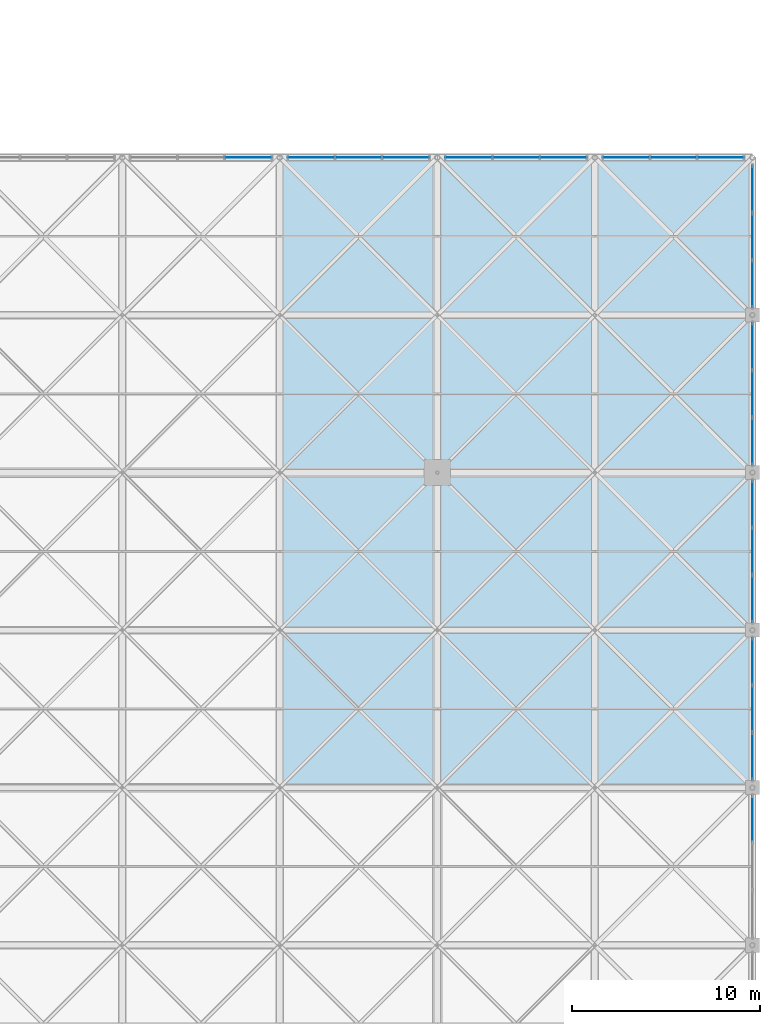
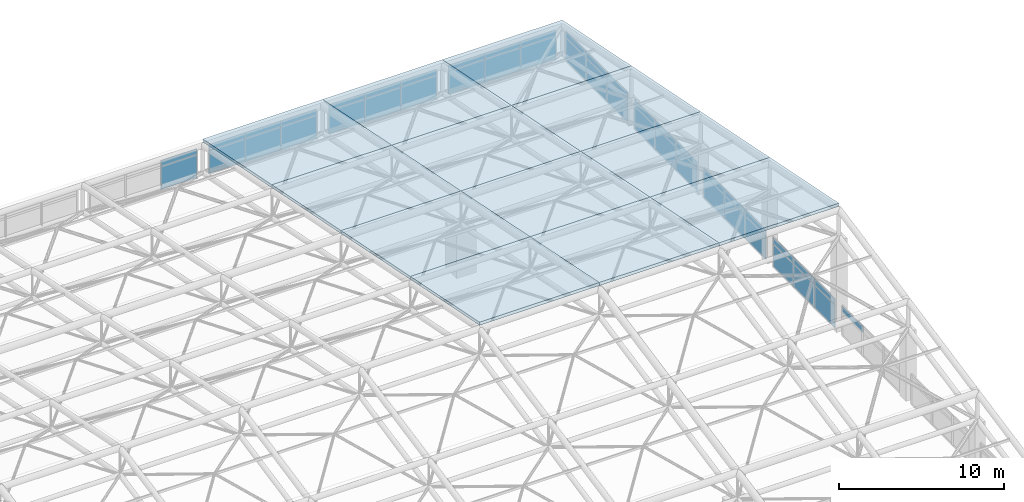
# One storey, part 81 of 110: 45 plates, 12 slabs, 9 elements without a shape of their own.
"""IFC4 building model written with IfcOpenShell, lengths in metres."""

from ifc_helpers import new_model, si_unit, direction, frame, frame_2d, origin, place, context, subcontext, project, spatial, polyline, rectangle, outline, extrude, material, layer, layer_set, type_object, element, aggregate, save


model = new_model("IFC4")

# Units and contexts
model_context = context("Model", 3, precision=1e-05, world=origin(), true_north=direction((0.0, 1.0)))
body_context = subcontext(model_context, "Body", "Model", "MODEL_VIEW")
ifc_project = project(units=[si_unit("LENGTHUNIT", "METRE"), si_unit("AREAUNIT", "SQUARE_METRE"), si_unit("VOLUMEUNIT", "CUBIC_METRE"), si_unit("PLANEANGLEUNIT", "RADIAN"), si_unit("MASSUNIT", "GRAM", prefix="KILO")], contexts=[model_context])

# Site, building, storey
site_placement = place(None, origin())
site = spatial("IfcSite", under=ifc_project, at=site_placement, CompositionType="ELEMENT")
building_placement = place(site_placement, origin())
building = spatial("IfcBuilding", under=site, at=building_placement, Name="Qawsi Khor Wholesale Market", CompositionType="ELEMENT")
storey_placement = place(building_placement, frame((0.0, 0.0, 11.39990234375)))
storey = spatial("IfcBuildingStorey", under=building, at=storey_placement, Name="L02", CompositionType="ELEMENT", Elevation=11.39990234375)

# Slabs
ifc_material_1 = material(Name="Concrete C40/50", Category="concrete")
ifc_layer_1 = layer(ifc_material_1, 0.2099609375, Name="Concrete C40/50")
ifc_layer_set_1 = layer_set([ifc_layer_1], Name="Concrete C40/50")
slab_type = type_object("IfcSlabType", Name="Sloped Insulated Roof Deck 210", PredefinedType="ROOF", material=ifc_layer_set_1)
for number, where, z_axis, x_axis, name in (
    (1, (193.199951171875, 75.60009765625, 9.25), (0.0, 0.1983562496, 0.980129990483), (1.0, 0.0, 0.0), "Space frame roof deck EH (23,9)"),
    (2, (193.199951171875, 84.0, 7.550048828125), (0.0, 0.1983562496, 0.980129990483), (1.0, 0.0, 0.0), "Space frame roof deck EH (23,10)"),
):
    element("IfcSlab", number, at=place(storey_placement, frame(where, z_axis=z_axis, x_axis=x_axis)), inside=storey, type_object=slab_type, Name=name, PredefinedType="ROOF", context=body_context, shape_type="SweptSolid", body=[
        extrude(outline(polyline([(0.0, 0.0), (8.400146484375, 0.0), (8.400146484375, 8.570192143195856), (0.0, 8.570192143195856), (0.0, 0.0)])), origin(), (0.0, 0.0, -1.0), 0.2099609375),
    ])
slab_1_placement = place(storey_placement, frame((193.199951171875, 92.39990234375, 5.85009765625), z_axis=(0.0, 0.198350711418, 0.98013111127), x_axis=(1.0, 0.0, 0.0)))
element("IfcSlab", 3, at=slab_1_placement, inside=storey, type_object=slab_type, Name="Space frame roof deck EH (23,11)", PredefinedType="ROOF", context=body_context, shape_type="SweptSolid", body=[
    extrude(outline(polyline([(0.0, 0.0), (8.400146484375, 0.0), (8.400146484375, 8.570431432881128), (0.0, 8.570431432881128), (0.0, 0.0)])), origin(), (0.0, 0.0, -1.0), 0.2099609375),
])
slab_2_placement = place(storey_placement, frame((193.199951171875, 100.800048828125, 4.150146484375), z_axis=(0.0, 0.1983562496, 0.980129990483), x_axis=(1.0, 0.0, 0.0)))
element("IfcSlab", 4, at=slab_2_placement, inside=storey, type_object=slab_type, Name="Space frame roof deck EH (23,12)", PredefinedType="ROOF", context=body_context, shape_type="SweptSolid", body=[
    extrude(outline(polyline([(0.0, 0.0), (8.400146484375, 0.0), (8.400146484375, 8.570192143195856), (0.0, 8.570192143195856), (0.0, 0.0)])), origin(), (0.0, 0.0, -1.0), 0.2099609375),
])
for number, where, z_axis, x_axis, name in (
    (5, (201.60009765625, 75.60009765625, 9.25), (0.0, 0.1983562496, 0.980129990483), (1.0, 0.0, 0.0), "Space frame roof deck EH (24,9)"),
    (6, (201.60009765625, 84.0, 7.550048828125), (0.0, 0.1983562496, 0.980129990483), (1.0, 0.0, 0.0), "Space frame roof deck EH (24,10)"),
):
    element("IfcSlab", number, at=place(storey_placement, frame(where, z_axis=z_axis, x_axis=x_axis)), inside=storey, type_object=slab_type, Name=name, PredefinedType="ROOF", context=body_context, shape_type="SweptSolid", body=[
        extrude(outline(polyline([(0.0, 0.0), (8.39990234375, 0.0), (8.39990234375, 8.570192143195854), (0.0, 8.570192143195854), (0.0, 0.0)])), origin(), (0.0, 0.0, -1.0), 0.2099609375),
    ])
slab_3_placement = place(storey_placement, frame((201.60009765625, 92.39990234375, 5.85009765625), z_axis=(0.0, 0.198350711418, 0.98013111127), x_axis=(1.0, 0.0, 0.0)))
element("IfcSlab", 7, at=slab_3_placement, inside=storey, type_object=slab_type, Name="Space frame roof deck EH (24,11)", PredefinedType="ROOF", context=body_context, shape_type="SweptSolid", body=[
    extrude(outline(polyline([(0.0, 0.0), (8.39990234375, 0.0), (8.39990234375, 8.570431432881128), (0.0, 8.570431432881128), (0.0, 0.0)])), origin(), (0.0, 0.0, -1.0), 0.2099609375),
])
for number, where, z_axis, x_axis, name in (
    (8, (201.60009765625, 100.800048828125, 4.150146484375), (0.0, 0.1983562496, 0.980129990483), (1.0, 0.0, 0.0), "Space frame roof deck EH (24,12)"),
    (9, (210.0, 75.60009765625, 9.25), (0.0, 0.1983562496, 0.980129990483), (1.0, 0.0, 0.0), "Space frame roof deck EH (25,9)"),
    (10, (210.0, 84.0, 7.550048828125), (0.0, 0.1983562496, 0.980129990483), (1.0, 0.0, 0.0), "Space frame roof deck EH (25,10)"),
):
    element("IfcSlab", number, at=place(storey_placement, frame(where, z_axis=z_axis, x_axis=x_axis)), inside=storey, type_object=slab_type, Name=name, PredefinedType="ROOF", context=body_context, shape_type="SweptSolid", body=[
        extrude(outline(polyline([(0.0, 0.0), (8.39990234375, 0.0), (8.39990234375, 8.570192143195854), (0.0, 8.570192143195854), (0.0, 0.0)])), origin(), (0.0, 0.0, -1.0), 0.2099609375),
    ])
slab_4_placement = place(storey_placement, frame((210.0, 92.39990234375, 5.85009765625), z_axis=(0.0, 0.198350711418, 0.98013111127), x_axis=(1.0, 0.0, 0.0)))
element("IfcSlab", 11, at=slab_4_placement, inside=storey, type_object=slab_type, Name="Space frame roof deck EH (25,11)", PredefinedType="ROOF", context=body_context, shape_type="SweptSolid", body=[
    extrude(outline(polyline([(0.0, 0.0), (8.39990234375, 0.0), (8.39990234375, 8.570431432881128), (0.0, 8.570431432881128), (0.0, 0.0)])), origin(), (0.0, 0.0, -1.0), 0.2099609375),
])
slab_5_placement = place(storey_placement, frame((210.0, 100.800048828125, 4.150146484375), z_axis=(0.0, 0.1983562496, 0.980129990483), x_axis=(1.0, 0.0, 0.0)))
element("IfcSlab", 12, at=slab_5_placement, inside=storey, type_object=slab_type, Name="Space frame roof deck EH (25,12)", PredefinedType="ROOF", context=body_context, shape_type="SweptSolid", body=[
    extrude(outline(polyline([(0.0, 0.0), (8.39990234375, 0.0), (8.39990234375, 8.570192143195854), (0.0, 8.570192143195854), (0.0, 0.0)])), origin(), (0.0, 0.0, -1.0), 0.2099609375),
])

# Curtain wall, plate
ifc_material_2 = material(Name="Aluminium Anodised Bronze", Category="aluminium")
ifc_layer_2 = layer(ifc_material_2, 0.199951171875, Name="Aluminium Anodised Bronze")
ifc_layer_set_2 = layer_set([ifc_layer_2], Name="Aluminium Anodised Bronze")
curtain_wall_type = type_object("IfcCurtainWallType", Name="Trading Hall North-Light Curtain Wall CW-03", PredefinedType="NOTDEFINED", material=ifc_layer_set_2)
curtain_wall_1_placement = place(storey_placement, origin())
curtain_wall_1 = element("IfcCurtainWall", 13, at=curtain_wall_1_placement, inside=storey, type_object=curtain_wall_type, Name="Curtain wall CW-CW-03-L02-136", PredefinedType="NOTDEFINED")
ifc_material_3 = material(Name="Tempered Low-E Solar Glass", Category="glass")
ifc_layer_3 = layer(ifc_material_3, 0.0419921875, Name="Tempered Low-E Solar Glass")
ifc_layer_set_3 = layer_set([ifc_layer_3], Name="Tempered Low-E Solar Glass")
plate_type = type_object("IfcPlateType", Name="Solar Double-Glazed Unit CW-03 42mm", PredefinedType="CURTAIN_PANEL", material=ifc_layer_set_3)
plate_1_placement = place(storey_placement, frame((218.39990234375, 72.6591796875, 1.455078125), z_axis=(0.0, 0.0, 1.0), x_axis=(0.0, 1.0, 0.0)))
plate_1 = element("IfcPlate", 14, at=plate_1_placement, type_object=plate_type, Name="Curtain panel CW-CW-03-L02-136-P1_02", PredefinedType="CURTAIN_PANEL", context=body_context, shape_type="SweptSolid", body=[
    extrude(rectangle(XDim=2.518310546875, YDim=0.0419921875, at=frame_2d((1.25927734375, 0.0))), origin(), (0.0, 0.0, 1.0), 0.43994140625),
])
aggregate(curtain_wall_1, [plate_1])

# Curtain wall, plates
curtain_wall_2_placement = place(storey_placement, origin())
curtain_wall_2 = element("IfcCurtainWall", 15, at=curtain_wall_2_placement, inside=storey, type_object=curtain_wall_type, Name="Curtain wall CW-CW-03-L02-138", PredefinedType="NOTDEFINED")
plate_2_placement = place(storey_placement, frame((218.39990234375, 76.0224609375, -0.264892578125), z_axis=(0.0, 0.0, 1.0), x_axis=(0.0, 1.0, 0.0)))
plate_2 = element("IfcPlate", 16, at=plate_2_placement, type_object=plate_type, Name="Curtain panel CW-CW-03-L02-138-P0_00", PredefinedType="CURTAIN_PANEL", context=body_context, shape_type="SweptSolid", body=[
    extrude(rectangle(XDim=2.518310546875, YDim=0.0419921875, at=frame_2d((1.25927734375, 0.0))), origin(), (0.0, 0.0, 1.0), 1.7099609375),
])
plate_3_placement = place(storey_placement, frame((218.39990234375, 78.540771484375, -0.264892578125), z_axis=(0.0, 0.0, 1.0), x_axis=(0.0, 1.0, 0.0)))
plate_3 = element("IfcPlate", 17, at=plate_3_placement, type_object=plate_type, Name="Curtain panel CW-CW-03-L02-138-P0_01", PredefinedType="CURTAIN_PANEL", context=body_context, shape_type="SweptSolid", body=[
    extrude(rectangle(XDim=2.518310546875, YDim=0.0419921875, at=frame_2d((1.25927734375, 0.0))), origin(), (0.0, 0.0, 1.0), 1.7099609375),
])
plate_4_placement = place(storey_placement, frame((218.39990234375, 81.05908203125, -0.264892578125), z_axis=(0.0, 0.0, 1.0), x_axis=(0.0, 1.0, 0.0)))
plate_4 = element("IfcPlate", 18, at=plate_4_placement, type_object=plate_type, Name="Curtain panel CW-CW-03-L02-138-P0_02", PredefinedType="CURTAIN_PANEL", context=body_context, shape_type="SweptSolid", body=[
    extrude(rectangle(XDim=2.518310546875, YDim=0.0419921875, at=frame_2d((1.25927734375, 0.0))), origin(), (0.0, 0.0, 1.0), 1.7099609375),
])
plate_5_placement = place(storey_placement, frame((218.39990234375, 76.0224609375, 1.455078125), z_axis=(0.0, 0.0, 1.0), x_axis=(0.0, 1.0, 0.0)))
plate_5 = element("IfcPlate", 19, at=plate_5_placement, type_object=plate_type, Name="Curtain panel CW-CW-03-L02-138-P1_00", PredefinedType="CURTAIN_PANEL", context=body_context, shape_type="SweptSolid", body=[
    extrude(rectangle(XDim=2.518310546875, YDim=0.0419921875, at=frame_2d((1.25927734375, 0.0))), origin(), (0.0, 0.0, 1.0), 0.43994140625),
])
plate_6_placement = place(storey_placement, frame((218.39990234375, 78.540771484375, 1.455078125), z_axis=(0.0, 0.0, 1.0), x_axis=(0.0, 1.0, 0.0)))
plate_6 = element("IfcPlate", 20, at=plate_6_placement, type_object=plate_type, Name="Curtain panel CW-CW-03-L02-138-P1_01", PredefinedType="CURTAIN_PANEL", context=body_context, shape_type="SweptSolid", body=[
    extrude(rectangle(XDim=2.518310546875, YDim=0.0419921875, at=frame_2d((1.25927734375, 0.0))), origin(), (0.0, 0.0, 1.0), 0.43994140625),
])
plate_7_placement = place(storey_placement, frame((218.39990234375, 81.05908203125, 1.455078125), z_axis=(0.0, 0.0, 1.0), x_axis=(0.0, 1.0, 0.0)))
plate_7 = element("IfcPlate", 21, at=plate_7_placement, type_object=plate_type, Name="Curtain panel CW-CW-03-L02-138-P1_02", PredefinedType="CURTAIN_PANEL", context=body_context, shape_type="SweptSolid", body=[
    extrude(rectangle(XDim=2.518310546875, YDim=0.0419921875, at=frame_2d((1.25927734375, 0.0))), origin(), (0.0, 0.0, 1.0), 0.43994140625),
])
aggregate(curtain_wall_2, [plate_2, plate_3, plate_4, plate_5, plate_6, plate_7])

curtain_wall_3_placement = place(storey_placement, origin())
curtain_wall_3 = element("IfcCurtainWall", 22, at=curtain_wall_3_placement, inside=storey, type_object=curtain_wall_type, Name="Curtain wall CW-CW-03-L02-140", PredefinedType="NOTDEFINED")
plate_8_placement = place(storey_placement, frame((218.39990234375, 84.422607421875, -0.264892578125), z_axis=(0.0, 0.0, 1.0), x_axis=(0.0, 1.0, 0.0)))
plate_8 = element("IfcPlate", 23, at=plate_8_placement, type_object=plate_type, Name="Curtain panel CW-CW-03-L02-140-P0_00", PredefinedType="CURTAIN_PANEL", context=body_context, shape_type="SweptSolid", body=[
    extrude(rectangle(XDim=2.518310546875, YDim=0.0419921875, at=frame_2d((1.25927734375, 0.0))), origin(), (0.0, 0.0, 1.0), 1.7099609375),
])
plate_9_placement = place(storey_placement, frame((218.39990234375, 86.94091796875, -0.264892578125), z_axis=(0.0, 0.0, 1.0), x_axis=(0.0, 1.0, 0.0)))
plate_9 = element("IfcPlate", 24, at=plate_9_placement, type_object=plate_type, Name="Curtain panel CW-CW-03-L02-140-P0_01", PredefinedType="CURTAIN_PANEL", context=body_context, shape_type="SweptSolid", body=[
    extrude(rectangle(XDim=2.518310546875, YDim=0.0419921875, at=frame_2d((1.25927734375, 0.0))), origin(), (0.0, 0.0, 1.0), 1.7099609375),
])
plate_10_placement = place(storey_placement, frame((218.39990234375, 89.459228515625, -0.264892578125), z_axis=(0.0, 0.0, 1.0), x_axis=(0.0, 1.0, 0.0)))
plate_10 = element("IfcPlate", 25, at=plate_10_placement, type_object=plate_type, Name="Curtain panel CW-CW-03-L02-140-P0_02", PredefinedType="CURTAIN_PANEL", context=body_context, shape_type="SweptSolid", body=[
    extrude(rectangle(XDim=2.518310546875, YDim=0.0419921875, at=frame_2d((1.25927734375, 0.0))), origin(), (0.0, 0.0, 1.0), 1.7099609375),
])
plate_11_placement = place(storey_placement, frame((218.39990234375, 84.422607421875, 1.455078125), z_axis=(0.0, 0.0, 1.0), x_axis=(0.0, 1.0, 0.0)))
plate_11 = element("IfcPlate", 26, at=plate_11_placement, type_object=plate_type, Name="Curtain panel CW-CW-03-L02-140-P1_00", PredefinedType="CURTAIN_PANEL", context=body_context, shape_type="SweptSolid", body=[
    extrude(rectangle(XDim=2.518310546875, YDim=0.0419921875, at=frame_2d((1.25927734375, 0.0))), origin(), (0.0, 0.0, 1.0), 0.43994140625),
])
plate_12_placement = place(storey_placement, frame((218.39990234375, 86.94091796875, 1.455078125), z_axis=(0.0, 0.0, 1.0), x_axis=(0.0, 1.0, 0.0)))
plate_12 = element("IfcPlate", 27, at=plate_12_placement, type_object=plate_type, Name="Curtain panel CW-CW-03-L02-140-P1_01", PredefinedType="CURTAIN_PANEL", context=body_context, shape_type="SweptSolid", body=[
    extrude(rectangle(XDim=2.518310546875, YDim=0.0419921875, at=frame_2d((1.25927734375, 0.0))), origin(), (0.0, 0.0, 1.0), 0.43994140625),
])
plate_13_placement = place(storey_placement, frame((218.39990234375, 89.459228515625, 1.455078125), z_axis=(0.0, 0.0, 1.0), x_axis=(0.0, 1.0, 0.0)))
plate_13 = element("IfcPlate", 28, at=plate_13_placement, type_object=plate_type, Name="Curtain panel CW-CW-03-L02-140-P1_02", PredefinedType="CURTAIN_PANEL", context=body_context, shape_type="SweptSolid", body=[
    extrude(rectangle(XDim=2.518310546875, YDim=0.0419921875, at=frame_2d((1.25927734375, 0.0))), origin(), (0.0, 0.0, 1.0), 0.43994140625),
])
aggregate(curtain_wall_3, [plate_8, plate_9, plate_10, plate_11, plate_12, plate_13])

curtain_wall_4_placement = place(storey_placement, origin())
curtain_wall_4 = element("IfcCurtainWall", 29, at=curtain_wall_4_placement, inside=storey, type_object=curtain_wall_type, Name="Curtain wall CW-CW-03-L02-142", PredefinedType="NOTDEFINED")
plate_14_placement = place(storey_placement, frame((218.39990234375, 92.822509765625, -0.264892578125), z_axis=(0.0, 0.0, 1.0), x_axis=(0.0, 1.0, 0.0)))
plate_14 = element("IfcPlate", 30, at=plate_14_placement, type_object=plate_type, Name="Curtain panel CW-CW-03-L02-142-P0_00", PredefinedType="CURTAIN_PANEL", context=body_context, shape_type="SweptSolid", body=[
    extrude(rectangle(XDim=2.518310546875, YDim=0.0419921875, at=frame_2d((1.25927734375, 0.0))), origin(), (0.0, 0.0, 1.0), 1.7099609375),
])
plate_15_placement = place(storey_placement, frame((218.39990234375, 95.3408203125, -0.264892578125), z_axis=(0.0, 0.0, 1.0), x_axis=(0.0, 1.0, 0.0)))
plate_15 = element("IfcPlate", 31, at=plate_15_placement, type_object=plate_type, Name="Curtain panel CW-CW-03-L02-142-P0_01", PredefinedType="CURTAIN_PANEL", context=body_context, shape_type="SweptSolid", body=[
    extrude(rectangle(XDim=2.518310546875, YDim=0.0419921875, at=frame_2d((1.25927734375, 0.0))), origin(), (0.0, 0.0, 1.0), 1.7099609375),
])
plate_16_placement = place(storey_placement, frame((218.39990234375, 97.859130859375, -0.264892578125), z_axis=(0.0, 0.0, 1.0), x_axis=(0.0, 1.0, 0.0)))
plate_16 = element("IfcPlate", 32, at=plate_16_placement, type_object=plate_type, Name="Curtain panel CW-CW-03-L02-142-P0_02", PredefinedType="CURTAIN_PANEL", context=body_context, shape_type="SweptSolid", body=[
    extrude(rectangle(XDim=2.518310546875, YDim=0.0419921875, at=frame_2d((1.25927734375, 0.0))), origin(), (0.0, 0.0, 1.0), 1.7099609375),
])
plate_17_placement = place(storey_placement, frame((218.39990234375, 92.822509765625, 1.455078125), z_axis=(0.0, 0.0, 1.0), x_axis=(0.0, 1.0, 0.0)))
plate_17 = element("IfcPlate", 33, at=plate_17_placement, type_object=plate_type, Name="Curtain panel CW-CW-03-L02-142-P1_00", PredefinedType="CURTAIN_PANEL", context=body_context, shape_type="SweptSolid", body=[
    extrude(rectangle(XDim=2.518310546875, YDim=0.0419921875, at=frame_2d((1.25927734375, 0.0))), origin(), (0.0, 0.0, 1.0), 0.43994140625),
])
plate_18_placement = place(storey_placement, frame((218.39990234375, 95.3408203125, 1.455078125), z_axis=(0.0, 0.0, 1.0), x_axis=(0.0, 1.0, 0.0)))
plate_18 = element("IfcPlate", 34, at=plate_18_placement, type_object=plate_type, Name="Curtain panel CW-CW-03-L02-142-P1_01", PredefinedType="CURTAIN_PANEL", context=body_context, shape_type="SweptSolid", body=[
    extrude(rectangle(XDim=2.518310546875, YDim=0.0419921875, at=frame_2d((1.25927734375, 0.0))), origin(), (0.0, 0.0, 1.0), 0.43994140625),
])
plate_19_placement = place(storey_placement, frame((218.39990234375, 97.859130859375, 1.455078125), z_axis=(0.0, 0.0, 1.0), x_axis=(0.0, 1.0, 0.0)))
plate_19 = element("IfcPlate", 35, at=plate_19_placement, type_object=plate_type, Name="Curtain panel CW-CW-03-L02-142-P1_02", PredefinedType="CURTAIN_PANEL", context=body_context, shape_type="SweptSolid", body=[
    extrude(rectangle(XDim=2.518310546875, YDim=0.0419921875, at=frame_2d((1.25927734375, 0.0))), origin(), (0.0, 0.0, 1.0), 0.43994140625),
])
aggregate(curtain_wall_4, [plate_14, plate_15, plate_16, plate_17, plate_18, plate_19])

curtain_wall_5_placement = place(storey_placement, origin())
curtain_wall_5 = element("IfcCurtainWall", 36, at=curtain_wall_5_placement, inside=storey, type_object=curtain_wall_type, Name="Curtain wall CW-CW-03-L02-144", PredefinedType="NOTDEFINED")
plate_20_placement = place(storey_placement, frame((218.39990234375, 101.222412109375, -0.264892578125), z_axis=(0.0, 0.0, 1.0), x_axis=(0.0, 1.0, 0.0)))
plate_20 = element("IfcPlate", 37, at=plate_20_placement, type_object=plate_type, Name="Curtain panel CW-CW-03-L02-144-P0_00", PredefinedType="CURTAIN_PANEL", context=body_context, shape_type="SweptSolid", body=[
    extrude(rectangle(XDim=2.510009765625, YDim=0.0419921875, at=frame_2d((1.2548828125, 0.0))), origin(), (0.0, 0.0, 1.0), 1.7099609375),
])
plate_21_placement = place(storey_placement, frame((218.39990234375, 103.732421875, -0.264892578125), z_axis=(0.0, 0.0, 1.0), x_axis=(0.0, 1.0, 0.0)))
plate_21 = element("IfcPlate", 38, at=plate_21_placement, type_object=plate_type, Name="Curtain panel CW-CW-03-L02-144-P0_01", PredefinedType="CURTAIN_PANEL", context=body_context, shape_type="SweptSolid", body=[
    extrude(rectangle(XDim=2.510009765625, YDim=0.0419921875, at=frame_2d((1.2548828125, 0.0))), origin(), (0.0, 0.0, 1.0), 1.7099609375),
])
plate_22_placement = place(storey_placement, frame((218.39990234375, 106.242431640625, -0.264892578125), z_axis=(0.0, 0.0, 1.0), x_axis=(0.0, 1.0, 0.0)))
plate_22 = element("IfcPlate", 39, at=plate_22_placement, type_object=plate_type, Name="Curtain panel CW-CW-03-L02-144-P0_02", PredefinedType="CURTAIN_PANEL", context=body_context, shape_type="SweptSolid", body=[
    extrude(rectangle(XDim=2.510009765625, YDim=0.0419921875, at=frame_2d((1.2548828125, 0.0))), origin(), (0.0, 0.0, 1.0), 1.7099609375),
])
plate_23_placement = place(storey_placement, frame((218.39990234375, 101.222412109375, 1.455078125), z_axis=(0.0, 0.0, 1.0), x_axis=(0.0, 1.0, 0.0)))
plate_23 = element("IfcPlate", 40, at=plate_23_placement, type_object=plate_type, Name="Curtain panel CW-CW-03-L02-144-P1_00", PredefinedType="CURTAIN_PANEL", context=body_context, shape_type="SweptSolid", body=[
    extrude(rectangle(XDim=2.510009765625, YDim=0.0419921875, at=frame_2d((1.2548828125, 0.0))), origin(), (0.0, 0.0, 1.0), 0.43994140625),
])
plate_24_placement = place(storey_placement, frame((218.39990234375, 103.732421875, 1.455078125), z_axis=(0.0, 0.0, 1.0), x_axis=(0.0, 1.0, 0.0)))
plate_24 = element("IfcPlate", 41, at=plate_24_placement, type_object=plate_type, Name="Curtain panel CW-CW-03-L02-144-P1_01", PredefinedType="CURTAIN_PANEL", context=body_context, shape_type="SweptSolid", body=[
    extrude(rectangle(XDim=2.510009765625, YDim=0.0419921875, at=frame_2d((1.2548828125, 0.0))), origin(), (0.0, 0.0, 1.0), 0.43994140625),
])
plate_25_placement = place(storey_placement, frame((218.39990234375, 106.242431640625, 1.455078125), z_axis=(0.0, 0.0, 1.0), x_axis=(0.0, 1.0, 0.0)))
plate_25 = element("IfcPlate", 42, at=plate_25_placement, type_object=plate_type, Name="Curtain panel CW-CW-03-L02-144-P1_02", PredefinedType="CURTAIN_PANEL", context=body_context, shape_type="SweptSolid", body=[
    extrude(rectangle(XDim=2.510009765625, YDim=0.0419921875, at=frame_2d((1.2548828125, 0.0))), origin(), (0.0, 0.0, 1.0), 0.43994140625),
])
aggregate(curtain_wall_5, [plate_20, plate_21, plate_22, plate_23, plate_24, plate_25])

curtain_wall_6_placement = place(storey_placement, origin())
curtain_wall_6 = element("IfcCurtainWall", 43, at=curtain_wall_6_placement, inside=storey, type_object=curtain_wall_type, Name="Curtain wall CW-CW-03-L02-150", PredefinedType="NOTDEFINED")
plate_26_placement = place(storey_placement, frame((190.25927734375, 109.199951171875, -0.264892578125), z_axis=(0.0, 0.0, 1.0), x_axis=(1.0, 0.0, 0.0)))
plate_26 = element("IfcPlate", 44, at=plate_26_placement, type_object=plate_type, Name="Curtain panel CW-CW-03-L02-150-P0_02", PredefinedType="CURTAIN_PANEL", context=body_context, shape_type="SweptSolid", body=[
    extrude(rectangle(XDim=2.518310546875, YDim=0.0419921875, at=frame_2d((1.25927734375, 0.0))), origin(), (0.0, 0.0, 1.0), 1.7099609375),
])
plate_27_placement = place(storey_placement, frame((190.25927734375, 109.199951171875, 1.455078125), z_axis=(0.0, 0.0, 1.0), x_axis=(1.0, 0.0, 0.0)))
plate_27 = element("IfcPlate", 45, at=plate_27_placement, type_object=plate_type, Name="Curtain panel CW-CW-03-L02-150-P1_02", PredefinedType="CURTAIN_PANEL", context=body_context, shape_type="SweptSolid", body=[
    extrude(rectangle(XDim=2.518310546875, YDim=0.0419921875, at=frame_2d((1.25927734375, 0.0))), origin(), (0.0, 0.0, 1.0), 0.43994140625),
])
aggregate(curtain_wall_6, [plate_26, plate_27])

curtain_wall_7_placement = place(storey_placement, origin())
curtain_wall_7 = element("IfcCurtainWall", 46, at=curtain_wall_7_placement, inside=storey, type_object=curtain_wall_type, Name="Curtain wall CW-CW-03-L02-151", PredefinedType="NOTDEFINED")
plate_28_placement = place(storey_placement, frame((193.62255859375, 109.199951171875, -0.264892578125), z_axis=(0.0, 0.0, 1.0), x_axis=(1.0, 0.0, 0.0)))
plate_28 = element("IfcPlate", 47, at=plate_28_placement, type_object=plate_type, Name="Curtain panel CW-CW-03-L02-151-P0_00", PredefinedType="CURTAIN_PANEL", context=body_context, shape_type="SweptSolid", body=[
    extrude(rectangle(XDim=2.518310546875, YDim=0.0419921875, at=frame_2d((1.25927734375, 0.0))), origin(), (0.0, 0.0, 1.0), 1.7099609375),
])
plate_29_placement = place(storey_placement, frame((196.140869140625, 109.199951171875, -0.264892578125), z_axis=(0.0, 0.0, 1.0), x_axis=(1.0, 0.0, 0.0)))
plate_29 = element("IfcPlate", 48, at=plate_29_placement, type_object=plate_type, Name="Curtain panel CW-CW-03-L02-151-P0_01", PredefinedType="CURTAIN_PANEL", context=body_context, shape_type="SweptSolid", body=[
    extrude(rectangle(XDim=2.518310546875, YDim=0.0419921875, at=frame_2d((1.25927734375, 0.0))), origin(), (0.0, 0.0, 1.0), 1.7099609375),
])
plate_30_placement = place(storey_placement, frame((198.6591796875, 109.199951171875, -0.264892578125), z_axis=(0.0, 0.0, 1.0), x_axis=(1.0, 0.0, 0.0)))
plate_30 = element("IfcPlate", 49, at=plate_30_placement, type_object=plate_type, Name="Curtain panel CW-CW-03-L02-151-P0_02", PredefinedType="CURTAIN_PANEL", context=body_context, shape_type="SweptSolid", body=[
    extrude(rectangle(XDim=2.518310546875, YDim=0.0419921875, at=frame_2d((1.25927734375, 0.0))), origin(), (0.0, 0.0, 1.0), 1.7099609375),
])
plate_31_placement = place(storey_placement, frame((193.62255859375, 109.199951171875, 1.455078125), z_axis=(0.0, 0.0, 1.0), x_axis=(1.0, 0.0, 0.0)))
plate_31 = element("IfcPlate", 50, at=plate_31_placement, type_object=plate_type, Name="Curtain panel CW-CW-03-L02-151-P1_00", PredefinedType="CURTAIN_PANEL", context=body_context, shape_type="SweptSolid", body=[
    extrude(rectangle(XDim=2.518310546875, YDim=0.0419921875, at=frame_2d((1.25927734375, 0.0))), origin(), (0.0, 0.0, 1.0), 0.43994140625),
])
plate_32_placement = place(storey_placement, frame((196.140869140625, 109.199951171875, 1.455078125), z_axis=(0.0, 0.0, 1.0), x_axis=(1.0, 0.0, 0.0)))
plate_32 = element("IfcPlate", 51, at=plate_32_placement, type_object=plate_type, Name="Curtain panel CW-CW-03-L02-151-P1_01", PredefinedType="CURTAIN_PANEL", context=body_context, shape_type="SweptSolid", body=[
    extrude(rectangle(XDim=2.518310546875, YDim=0.0419921875, at=frame_2d((1.25927734375, 0.0))), origin(), (0.0, 0.0, 1.0), 0.43994140625),
])
plate_33_placement = place(storey_placement, frame((198.6591796875, 109.199951171875, 1.455078125), z_axis=(0.0, 0.0, 1.0), x_axis=(1.0, 0.0, 0.0)))
plate_33 = element("IfcPlate", 52, at=plate_33_placement, type_object=plate_type, Name="Curtain panel CW-CW-03-L02-151-P1_02", PredefinedType="CURTAIN_PANEL", context=body_context, shape_type="SweptSolid", body=[
    extrude(rectangle(XDim=2.518310546875, YDim=0.0419921875, at=frame_2d((1.25927734375, 0.0))), origin(), (0.0, 0.0, 1.0), 0.43994140625),
])
aggregate(curtain_wall_7, [plate_28, plate_29, plate_30, plate_31, plate_32, plate_33])

curtain_wall_8_placement = place(storey_placement, origin())
curtain_wall_8 = element("IfcCurtainWall", 53, at=curtain_wall_8_placement, inside=storey, type_object=curtain_wall_type, Name="Curtain wall CW-CW-03-L02-152", PredefinedType="NOTDEFINED")
plate_34_placement = place(storey_placement, frame((202.0224609375, 109.199951171875, -0.264892578125), z_axis=(0.0, 0.0, 1.0), x_axis=(1.0, 0.0, 0.0)))
plate_34 = element("IfcPlate", 54, at=plate_34_placement, type_object=plate_type, Name="Curtain panel CW-CW-03-L02-152-P0_00", PredefinedType="CURTAIN_PANEL", context=body_context, shape_type="SweptSolid", body=[
    extrude(rectangle(XDim=2.518310546875, YDim=0.0419921875, at=frame_2d((1.25927734375, 0.0))), origin(), (0.0, 0.0, 1.0), 1.7099609375),
])
plate_35_placement = place(storey_placement, frame((204.540771484375, 109.199951171875, -0.264892578125), z_axis=(0.0, 0.0, 1.0), x_axis=(1.0, 0.0, 0.0)))
plate_35 = element("IfcPlate", 55, at=plate_35_placement, type_object=plate_type, Name="Curtain panel CW-CW-03-L02-152-P0_01", PredefinedType="CURTAIN_PANEL", context=body_context, shape_type="SweptSolid", body=[
    extrude(rectangle(XDim=2.518310546875, YDim=0.0419921875, at=frame_2d((1.25927734375, 0.0))), origin(), (0.0, 0.0, 1.0), 1.7099609375),
])
plate_36_placement = place(storey_placement, frame((207.05908203125, 109.199951171875, -0.264892578125), z_axis=(0.0, 0.0, 1.0), x_axis=(1.0, 0.0, 0.0)))
plate_36 = element("IfcPlate", 56, at=plate_36_placement, type_object=plate_type, Name="Curtain panel CW-CW-03-L02-152-P0_02", PredefinedType="CURTAIN_PANEL", context=body_context, shape_type="SweptSolid", body=[
    extrude(rectangle(XDim=2.518310546875, YDim=0.0419921875, at=frame_2d((1.25927734375, 0.0))), origin(), (0.0, 0.0, 1.0), 1.7099609375),
])
plate_37_placement = place(storey_placement, frame((202.0224609375, 109.199951171875, 1.455078125), z_axis=(0.0, 0.0, 1.0), x_axis=(1.0, 0.0, 0.0)))
plate_37 = element("IfcPlate", 57, at=plate_37_placement, type_object=plate_type, Name="Curtain panel CW-CW-03-L02-152-P1_00", PredefinedType="CURTAIN_PANEL", context=body_context, shape_type="SweptSolid", body=[
    extrude(rectangle(XDim=2.518310546875, YDim=0.0419921875, at=frame_2d((1.25927734375, 0.0))), origin(), (0.0, 0.0, 1.0), 0.43994140625),
])
plate_38_placement = place(storey_placement, frame((204.540771484375, 109.199951171875, 1.455078125), z_axis=(0.0, 0.0, 1.0), x_axis=(1.0, 0.0, 0.0)))
plate_38 = element("IfcPlate", 58, at=plate_38_placement, type_object=plate_type, Name="Curtain panel CW-CW-03-L02-152-P1_01", PredefinedType="CURTAIN_PANEL", context=body_context, shape_type="SweptSolid", body=[
    extrude(rectangle(XDim=2.518310546875, YDim=0.0419921875, at=frame_2d((1.25927734375, 0.0))), origin(), (0.0, 0.0, 1.0), 0.43994140625),
])
plate_39_placement = place(storey_placement, frame((207.05908203125, 109.199951171875, 1.455078125), z_axis=(0.0, 0.0, 1.0), x_axis=(1.0, 0.0, 0.0)))
plate_39 = element("IfcPlate", 59, at=plate_39_placement, type_object=plate_type, Name="Curtain panel CW-CW-03-L02-152-P1_02", PredefinedType="CURTAIN_PANEL", context=body_context, shape_type="SweptSolid", body=[
    extrude(rectangle(XDim=2.518310546875, YDim=0.0419921875, at=frame_2d((1.25927734375, 0.0))), origin(), (0.0, 0.0, 1.0), 0.43994140625),
])
aggregate(curtain_wall_8, [plate_34, plate_35, plate_36, plate_37, plate_38, plate_39])

curtain_wall_9_placement = place(storey_placement, origin())
curtain_wall_9 = element("IfcCurtainWall", 60, at=curtain_wall_9_placement, inside=storey, type_object=curtain_wall_type, Name="Curtain wall CW-CW-03-L02-153", PredefinedType="NOTDEFINED")
plate_40_placement = place(storey_placement, frame((210.422607421875, 109.199951171875, -0.264892578125), z_axis=(0.0, 0.0, 1.0), x_axis=(1.0, 0.0, 0.0)))
plate_40 = element("IfcPlate", 61, at=plate_40_placement, type_object=plate_type, Name="Curtain panel CW-CW-03-L02-153-P0_00", PredefinedType="CURTAIN_PANEL", context=body_context, shape_type="SweptSolid", body=[
    extrude(rectangle(XDim=2.510009765625, YDim=0.0419921875, at=frame_2d((1.2548828125, 0.0))), origin(), (0.0, 0.0, 1.0), 1.7099609375),
])
plate_41_placement = place(storey_placement, frame((212.9326171875, 109.199951171875, -0.264892578125), z_axis=(0.0, 0.0, 1.0), x_axis=(1.0, 0.0, 0.0)))
plate_41 = element("IfcPlate", 62, at=plate_41_placement, type_object=plate_type, Name="Curtain panel CW-CW-03-L02-153-P0_01", PredefinedType="CURTAIN_PANEL", context=body_context, shape_type="SweptSolid", body=[
    extrude(rectangle(XDim=2.509765625, YDim=0.0419921875, at=frame_2d((1.2548828125, 0.0))), origin(), (0.0, 0.0, 1.0), 1.7099609375),
])
plate_42_placement = place(storey_placement, frame((215.4423828125, 109.199951171875, -0.264892578125), z_axis=(0.0, 0.0, 1.0), x_axis=(1.0, 0.0, 0.0)))
plate_42 = element("IfcPlate", 63, at=plate_42_placement, type_object=plate_type, Name="Curtain panel CW-CW-03-L02-153-P0_02", PredefinedType="CURTAIN_PANEL", context=body_context, shape_type="SweptSolid", body=[
    extrude(rectangle(XDim=2.510009765625, YDim=0.0419921875, at=frame_2d((1.2548828125, 0.0))), origin(), (0.0, 0.0, 1.0), 1.7099609375),
])
plate_43_placement = place(storey_placement, frame((210.422607421875, 109.199951171875, 1.455078125), z_axis=(0.0, 0.0, 1.0), x_axis=(1.0, 0.0, 0.0)))
plate_43 = element("IfcPlate", 64, at=plate_43_placement, type_object=plate_type, Name="Curtain panel CW-CW-03-L02-153-P1_00", PredefinedType="CURTAIN_PANEL", context=body_context, shape_type="SweptSolid", body=[
    extrude(rectangle(XDim=2.510009765625, YDim=0.0419921875, at=frame_2d((1.2548828125, 0.0))), origin(), (0.0, 0.0, 1.0), 0.43994140625),
])
plate_44_placement = place(storey_placement, frame((212.9326171875, 109.199951171875, 1.455078125), z_axis=(0.0, 0.0, 1.0), x_axis=(1.0, 0.0, 0.0)))
plate_44 = element("IfcPlate", 65, at=plate_44_placement, type_object=plate_type, Name="Curtain panel CW-CW-03-L02-153-P1_01", PredefinedType="CURTAIN_PANEL", context=body_context, shape_type="SweptSolid", body=[
    extrude(rectangle(XDim=2.509765625, YDim=0.0419921875, at=frame_2d((1.2548828125, 0.0))), origin(), (0.0, 0.0, 1.0), 0.43994140625),
])
plate_45_placement = place(storey_placement, frame((215.4423828125, 109.199951171875, 1.455078125), z_axis=(0.0, 0.0, 1.0), x_axis=(1.0, 0.0, 0.0)))
plate_45 = element("IfcPlate", 66, at=plate_45_placement, type_object=plate_type, Name="Curtain panel CW-CW-03-L02-153-P1_02", PredefinedType="CURTAIN_PANEL", context=body_context, shape_type="SweptSolid", body=[
    extrude(rectangle(XDim=2.510009765625, YDim=0.0419921875, at=frame_2d((1.2548828125, 0.0))), origin(), (0.0, 0.0, 1.0), 0.43994140625),
])
aggregate(curtain_wall_9, [plate_40, plate_41, plate_42, plate_43, plate_44, plate_45])

save(model, "model.ifc")
